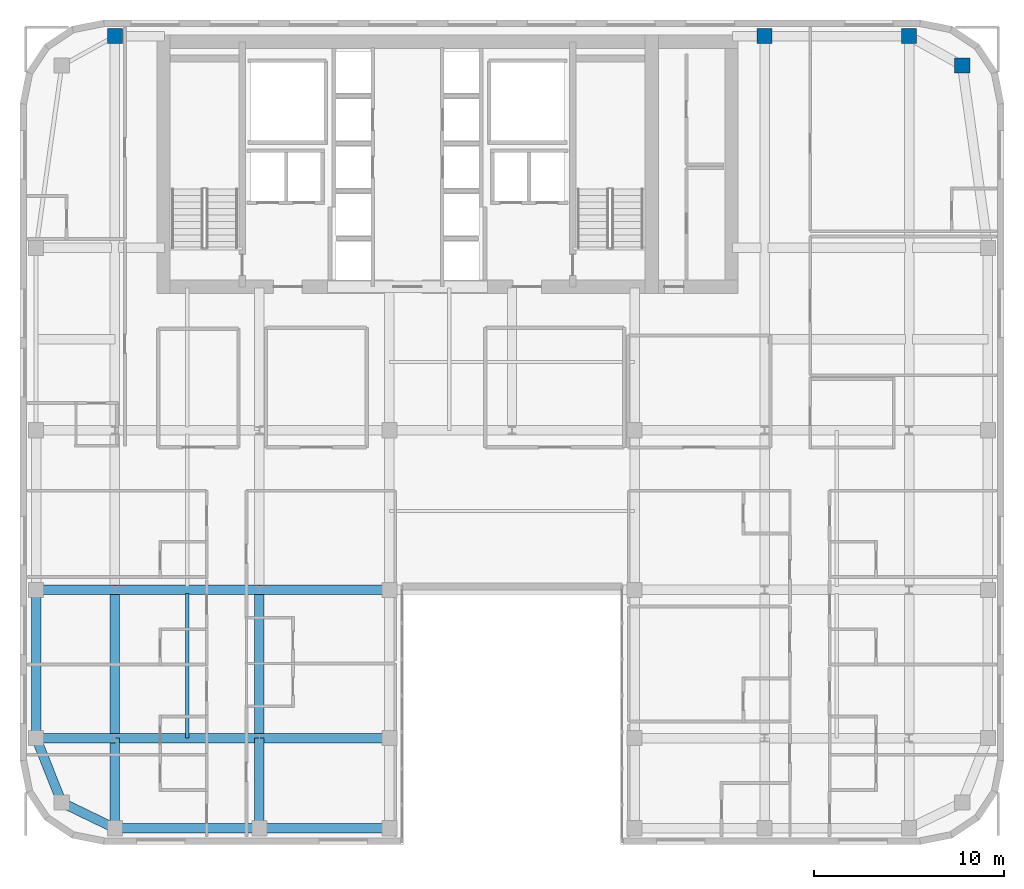
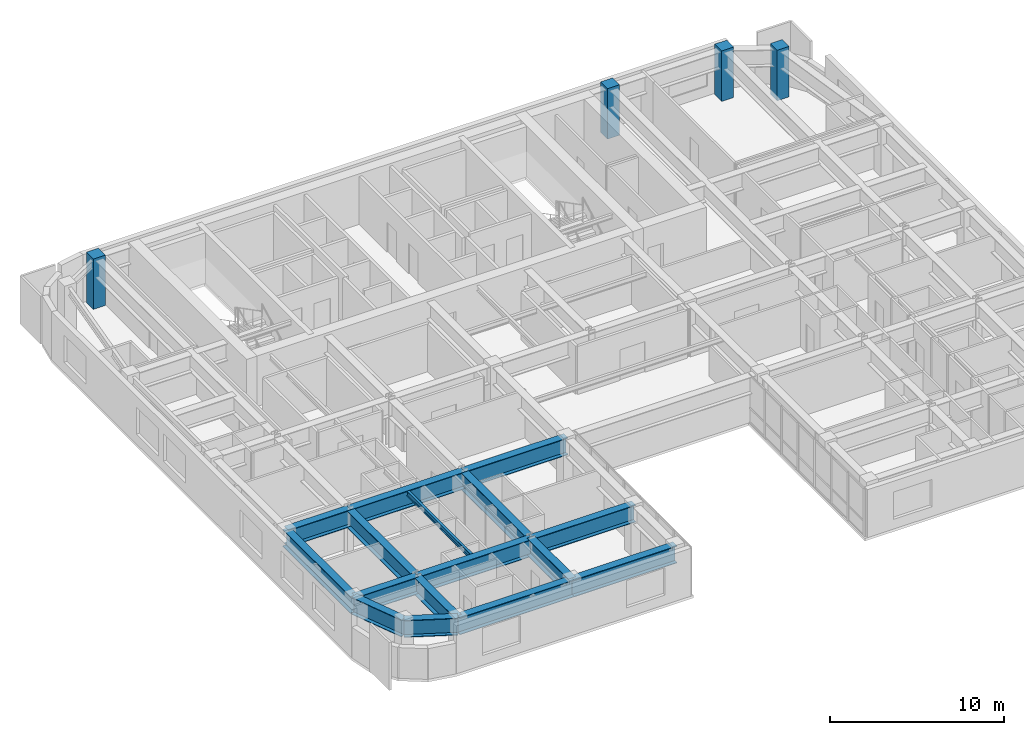
# One storey, part 2 of 14: 16 beams, 4 columns.
"""IFC4 building model written with IfcOpenShell, lengths in metres."""

import ifcopenshell
import ifcopenshell.guid

model = None  # the IFC model being written
_history = None  # IfcOwnerHistory: only IFC2X3 demands one
_inside = {}  # id of a spatial element -> (the spatial element, [elements in it])
_under = {}  # id of a project, library or spatial element -> (it, [spatial elements below it])
_declared = {}  # id of a project -> (the project, [libraries it declares])
_typed = {}  # id of a type object -> (the type object, [elements of that type])
_made_of = {}  # id of a material, layer set ... -> (it, [elements and type objects made of it])


def new_model(schema):
    """Start an empty IFC model of exactly this schema.

    Asked for "IFC4X3", IfcOpenShell would pick the latest addendum, in which some entities
    have other attributes; the version numbers below select the first issue.
    IFC2X3 requires an IfcOwnerHistory on every rooted entity: one is made here for all.
    """
    global model, _history
    if schema == "IFC4X3":
        model = ifcopenshell.file(schema_version=(4, 3, 0, 0))
    else:
        model = ifcopenshell.file(schema=schema)
    _inside.clear()
    _under.clear()
    _declared.clear()
    _typed.clear()
    _made_of.clear()
    _history = None
    if model.schema == "IFC2X3":
        org = make("IfcOrganization", Name="unknown")
        user = make(
            "IfcPersonAndOrganization",
            ThePerson=make("IfcPerson", FamilyName="unknown"),
            TheOrganization=org,
        )
        app = make(
            "IfcApplication",
            ApplicationDeveloper=org,
            Version="unknown",
            ApplicationFullName="unknown",
            ApplicationIdentifier="unknown",
        )
        _history = make(
            "IfcOwnerHistory",
            OwningUser=user,
            OwningApplication=app,
            ChangeAction="ADDED",
            CreationDate=0,
        )
    return model


def make(cls, **values):
    """One entity of the class cls with the attributes given. An attribute that is None is left unset."""
    return model.create_entity(
        cls, **{name: value for name, value in values.items() if value is not None}
    )


def rooted(cls, **values):
    """An entity with a GlobalId (a new one), such as an element, a storey or a relation."""
    return make(cls, GlobalId=ifcopenshell.guid.new(), OwnerHistory=_history, **values)


def si_unit(unit_type, name, prefix=None):
    """IfcSIUnit, for example si_unit("LENGTHUNIT", "METRE", prefix="MILLI")."""
    return make("IfcSIUnit", UnitType=unit_type, Prefix=prefix, Name=name)


def assignment(units):
    """IfcUnitAssignment: the units of a project."""
    return None if units is None else make("IfcUnitAssignment", Units=units)


def point(xyz):
    """IfcCartesianPoint."""
    return None if xyz is None else make("IfcCartesianPoint", Coordinates=xyz)


def direction(xyz):
    """IfcDirection."""
    return None if xyz is None else make("IfcDirection", DirectionRatios=xyz)


def frame(location, z_axis=None, x_axis=None):
    """IfcAxis2Placement3D, a coordinate frame: its origin and axes. An axis left out is left unset."""
    return make(
        "IfcAxis2Placement3D",
        Location=point(location),
        Axis=direction(z_axis),
        RefDirection=direction(x_axis),
    )


def frame_2d(location, x_axis=None):
    """IfcAxis2Placement2D, a coordinate frame in the plane: its origin and x axis."""
    return make(
        "IfcAxis2Placement2D", Location=point(location), RefDirection=direction(x_axis)
    )


def origin():
    """The frame at (0, 0, 0) with its axes left unset."""
    return frame((0.0, 0.0, 0.0))


def origin_2d():
    """The frame at (0, 0) in the plane with its x axis left unset."""
    return frame_2d((0.0, 0.0))


def place(relative_to, where):
    """IfcLocalPlacement: puts the frame where relative to a parent placement (None: the world)."""
    return make(
        "IfcLocalPlacement", PlacementRelTo=relative_to, RelativePlacement=where
    )


def context(
    kind, dimensions, precision=None, world=None, true_north=None, identifier=None
):
    """IfcGeometricRepresentationContext, for example the 3D "Model" context."""
    return make(
        "IfcGeometricRepresentationContext",
        ContextIdentifier=identifier,
        ContextType=kind,
        CoordinateSpaceDimension=dimensions,
        Precision=precision,
        WorldCoordinateSystem=world,
        TrueNorth=true_north,
    )


def subcontext(parent, identifier, kind, view, scale=None):
    """IfcGeometricRepresentationSubContext, for example "Body" below "Model"."""
    return make(
        "IfcGeometricRepresentationSubContext",
        ContextIdentifier=identifier,
        ContextType=kind,
        ParentContext=parent,
        TargetScale=scale,
        TargetView=view,
    )


def project(units=None, contexts=None):
    """IfcProject with its units and contexts."""
    return rooted(
        "IfcProject",
        Name="project",
        RepresentationContexts=contexts,
        UnitsInContext=assignment(units),
    )


def spatial(cls, under=None, at=None, **own):
    """A site, building, storey or space (cls), placed at a placement, below another one or the project."""
    s = rooted(cls, ObjectPlacement=at, **own)
    if under is not None:
        _under.setdefault(under.id(), (under, []))[1].append(s)
    return s


def profile(cls, at=None, kind="AREA", **sizes):
    """A parametric profile (cls). Its sizes go by their IFC names, for example OverallWidth=200.0."""
    return make(cls, ProfileType=kind, Position=at, **sizes)


def rectangle(**sizes):
    """IfcRectangleProfileDef."""
    return profile("IfcRectangleProfileDef", **sizes)


def i_section(**sizes):
    """IfcIShapeProfileDef."""
    return profile("IfcIShapeProfileDef", **sizes)


def extrude(swept, where, along, depth):
    """IfcExtrudedAreaSolid: the profile swept, set in the frame where, extruded along a direction by depth."""
    return make(
        "IfcExtrudedAreaSolid",
        SweptArea=swept,
        Position=where,
        ExtrudedDirection=direction(along),
        Depth=depth,
    )


def shape(context_of_items, identifier, shape_type, items):
    """IfcShapeRepresentation: the items that make up one representation, for example the "Body"."""
    return make(
        "IfcShapeRepresentation",
        ContextOfItems=context_of_items,
        RepresentationIdentifier=identifier,
        RepresentationType=shape_type,
        Items=items,
    )


def source(mapping_origin, context_of_items, identifier, shape_type, items):
    """IfcRepresentationMap: a shape defined once, which mapped items show again and again."""
    return make(
        "IfcRepresentationMap",
        MappingOrigin=mapping_origin,
        MappedRepresentation=shape(context_of_items, identifier, shape_type, items),
    )


def transform(
    local_origin,
    x_axis=None,
    y_axis=None,
    z_axis=None,
    scale=None,
    scale2=None,
    scale3=None,
    uniform=True,
):
    """IfcCartesianTransformationOperator3D, or its non-uniform kind. x_axis, y_axis, z_axis: its Axis1, 2, 3."""
    if uniform:
        return make(
            "IfcCartesianTransformationOperator3D",
            Axis1=direction(x_axis),
            Axis2=direction(y_axis),
            LocalOrigin=point(local_origin),
            Scale=scale,
            Axis3=direction(z_axis),
        )
    return make(
        "IfcCartesianTransformationOperator3DnonUniform",
        Axis1=direction(x_axis),
        Axis2=direction(y_axis),
        LocalOrigin=point(local_origin),
        Scale=scale,
        Axis3=direction(z_axis),
        Scale2=scale2,
        Scale3=scale3,
    )


def mapped(mapping_source, mapping_target):
    """IfcMappedItem: shows the shape of a source again, moved by a transform."""
    return make(
        "IfcMappedItem", MappingSource=mapping_source, MappingTarget=mapping_target
    )


def material(Name=None, Category=None):
    """IfcMaterial."""
    return make("IfcMaterial", Name=Name, Category=Category)


def material_profile(
    of_material, cross_section, Name=None, Category=None, Priority=None
):
    """IfcMaterialProfile: a cross section and its material."""
    return make(
        "IfcMaterialProfile",
        Name=Name,
        Material=of_material,
        Profile=cross_section,
        Priority=Priority,
        Category=Category,
    )


def profile_set(profiles, Name=None, composite=None):
    """IfcMaterialProfileSet."""
    return make(
        "IfcMaterialProfileSet",
        Name=Name,
        MaterialProfiles=profiles,
        CompositeProfile=composite,
    )


def made_of(thing, what):
    """Note that an element or type object is made of a material, layer set ...; save() writes the relation."""
    if what is not None:
        _made_of.setdefault(what.id(), (what, []))[1].append(thing)
    return thing


def type_object(cls, material=None, **own):
    """A type object (cls), such as IfcWallType, which elements share."""
    return made_of(rooted(cls, **own), material)


def type_shapes(of_type, sources):
    """Give a type object the sources (RepresentationMaps) that its elements show as mapped items."""
    of_type.RepresentationMaps = sources


def element(
    cls,
    number,
    at=None,
    inside=None,
    cuts=None,
    type_object=None,
    material=None,
    context=None,
    identifier="Body",
    shape_type=None,
    held_by="IfcProductDefinitionShape",
    body=None,
    shapes=None,
    **own,
):
    """One element of the class cls, such as IfcWall. Its Tag is "e" and its number.

    at: its placement. inside: the storey or other place that contains it. cuts: it is an
    opening in that element (IfcRelVoidsElement). A single representation is given by context,
    identifier, shape_type and body (its items); several are given by shapes. held_by: the class
    of the entity that holds the representations. save() writes the other relations.
    """
    e = rooted(cls, Tag="e%d" % number, ObjectPlacement=at, **own)
    if body is not None:
        shapes = [shape(context, identifier, shape_type, body)]
    if shapes is not None:
        e.Representation = make(held_by, Representations=shapes)
    if inside is not None:
        _inside.setdefault(inside.id(), (inside, []))[1].append(e)
    if cuts is not None:
        rooted(
            "IfcRelVoidsElement", RelatingBuildingElement=cuts, RelatedOpeningElement=e
        )
    if type_object is not None:
        _typed.setdefault(type_object.id(), (type_object, []))[1].append(e)
    return made_of(e, material)


def aggregate(whole, parts):
    """IfcRelAggregates: a whole, such as a stair, and the parts it consists of."""
    return rooted("IfcRelAggregates", RelatingObject=whole, RelatedObjects=parts)


def save(model, path):
    """Write the relations noted so far, then the file.

    IfcRelAggregates (storeys below a building ...), IfcRelContainedInSpatialStructure (elements
    in a storey), IfcRelDefinesByType, IfcRelAssociatesMaterial and IfcRelDeclares: one each for
    every whole, place, type object, material and project.
    """
    for whole, parts in _under.values():
        aggregate(whole, parts)
    for where, things in _inside.values():
        rooted(
            "IfcRelContainedInSpatialStructure",
            RelatedElements=things,
            RelatingStructure=where,
        )
    for kind, things in _typed.values():
        rooted("IfcRelDefinesByType", RelatedObjects=things, RelatingType=kind)
    for what, things in _made_of.values():
        rooted("IfcRelAssociatesMaterial", RelatedObjects=things, RelatingMaterial=what)
    for by, libraries in _declared.values():
        rooted("IfcRelDeclares", RelatingContext=by, RelatedDefinitions=libraries)
    model.write(path)


model = new_model("IFC4")

# Units and contexts
model_context = context("Model", 3, precision=1e-05, world=origin(), true_north=direction((0.0, 1.0)))
body_context = subcontext(model_context, "Body", "Model", "MODEL_VIEW")
ifc_project = project(units=[si_unit("LENGTHUNIT", "METRE"), si_unit("AREAUNIT", "SQUARE_METRE"), si_unit("VOLUMEUNIT", "CUBIC_METRE"), si_unit("PLANEANGLEUNIT", "RADIAN"), si_unit("MASSUNIT", "GRAM", prefix="KILO")], contexts=[model_context])

# Site, building, storey
site_placement = place(None, origin())
site = spatial("IfcSite", under=ifc_project, at=site_placement, CompositionType="ELEMENT")
building_placement = place(site_placement, origin())
building = spatial("IfcBuilding", under=site, at=building_placement, Name="Tolvann Quenvar Hotel", CompositionType="ELEMENT")
storey_placement = place(building_placement, frame((0.0, 0.0, 150.60009765625)))
storey = spatial("IfcBuildingStorey", under=building, at=storey_placement, Name="L39", CompositionType="ELEMENT", Elevation=150.60009765625)

# Columns
ifc_material_1 = material(Name="Concrete N50 (50 MPa)", Category="concrete")
ifc_material_profile_1 = material_profile(ifc_material_1, rectangle(XDim=0.800048828125, YDim=0.800048828125, at=origin_2d()), Name="RC800x800")
ifc_profile_set_1 = profile_set([ifc_material_profile_1], Name="Concrete N50 (50 MPa)")
column_type = type_object("IfcColumnType", Name="COL_RC800", PredefinedType="COLUMN", material=ifc_profile_set_1)
shared_shape_1 = source(origin(), body_context, "Body", "SweptSolid", [
    extrude(rectangle(XDim=0.800048828125, YDim=0.800048828125, at=origin_2d()), origin(), (0.0, 0.0, 1.0), 3.5498046875),
])
type_shapes(column_type, [shared_shape_1])
for number, where, z_axis, x_axis, name in (
    (1, (7.60009765625, 45.14990234375, 0.0), (0.0, 0.0, 1.0), (1.0, 0.0, 0.0), "Column CN (L39)"),
    (2, (41.800048828125, 45.14990234375, 0.0), (0.0, 0.0, 1.0), (1.0, 0.0, 0.0), "Column HN (L39)"),
    (3, (49.39990234375, 45.14990234375, 0.0), (0.0, 0.0, 1.0), (1.0, 0.0, 0.0), "Column IN (L39)"),
    (4, (52.199951171875, 43.60009765625, 0.0), (0.0, 0.0, 1.0), (1.0, 0.0, 0.0), "Column JN (L39)"),
):
    element("IfcColumn", number, at=place(storey_placement, frame(where, z_axis=z_axis, x_axis=x_axis)), inside=storey, type_object=column_type, Name=name, PredefinedType="COLUMN", context=body_context, shape_type="MappedRepresentation", body=[
        mapped(shared_shape_1, transform((0.0, 0.0, 0.0), x_axis=(1.0, 0.0, 0.0), y_axis=(0.0, 1.0, 0.0), z_axis=(0.0, 0.0, 1.0), scale=1.0)),
    ])

# Beams
ifc_material_2 = material(Name="Steel Grade 350", Category="steel")
ifc_material_profile_2 = material_profile(ifc_material_2, i_section(OverallWidth=0.5, OverallDepth=1.199951171875, WebThickness=0.01611328125, FlangeThickness=0.0400390625, at=origin_2d()), Name="1200WB455")
ifc_profile_set_2 = profile_set([ifc_material_profile_2], Name="Steel Grade 350")
beam_type_1 = type_object("IfcBeamType", Name="BM_TG_1200WB455", PredefinedType="USERDEFINED", material=ifc_profile_set_2)
shared_shape_2 = source(origin(), body_context, "Body", "SweptSolid", [
    extrude(i_section(OverallWidth=0.5, OverallDepth=1.199951171875, WebThickness=0.01611328125, FlangeThickness=0.0400390625, at=origin_2d()), origin(), (0.0, 0.0, 1.0), 7.599853515625),
])
for number, where, z_axis, x_axis, name in (
    (5, (7.60009765625, 3.449951171875, 2.77001953125), (1.0, 0.0, 0.0), (0.0, 1.0, 0.0), "BM-L39-EW-2-C2-D2"),
    (6, (7.60009765625, 8.199951171875, 2.77001953125), (1.0, 0.0, 0.0), (0.0, 1.0, 0.0), "BM-L39-EW-3-C3-D3"),
    (7, (7.60009765625, 16.0, 2.77001953125), (1.0, 0.0, 0.0), (0.0, 1.0, 0.0), "BM-L39-EW-4-C4-D4"),
):
    element("IfcBeam", number, at=place(storey_placement, frame(where, z_axis=z_axis, x_axis=x_axis)), inside=storey, type_object=beam_type_1, Name=name, ObjectType="TRANSFER GIRDER", PredefinedType="USERDEFINED", context=body_context, shape_type="MappedRepresentation", body=[
        mapped(shared_shape_2, transform((0.0, 0.0, 0.0), x_axis=(1.0, 0.0, 0.0), y_axis=(0.0, 1.0, 0.0), z_axis=(0.0, 0.0, 1.0), scale=1.0)),
    ])
shared_shape_3 = source(origin(), body_context, "Body", "SweptSolid", [
    extrude(i_section(OverallWidth=0.5, OverallDepth=1.199951171875, WebThickness=0.01611328125, FlangeThickness=0.0400390625, at=origin_2d()), origin(), (0.0, 0.0, 1.0), 4.150146484375),
])
for number, where, z_axis, x_axis, name in (
    (8, (3.449951171875, 8.199951171875, 2.77001953125), (1.0, 0.0, 0.0), (0.0, 1.0, 0.0), "BM-L39-EW-3-B3-C3"),
    (9, (3.449951171875, 16.0, 2.77001953125), (1.0, 0.0, 0.0), (0.0, 1.0, 0.0), "BM-L39-EW-4-B4-C4"),
):
    element("IfcBeam", number, at=place(storey_placement, frame(where, z_axis=z_axis, x_axis=x_axis)), inside=storey, type_object=beam_type_1, Name=name, ObjectType="TRANSFER GIRDER", PredefinedType="USERDEFINED", context=body_context, shape_type="MappedRepresentation", body=[
        mapped(shared_shape_3, transform((0.0, 0.0, 0.0), x_axis=(1.0, 0.0, 0.0), y_axis=(0.0, 1.0, 0.0), z_axis=(0.0, 0.0, 1.0), scale=1.0)),
    ])
shared_shape_4 = source(origin(), body_context, "Body", "SweptSolid", [
    extrude(i_section(OverallWidth=0.5, OverallDepth=1.199951171875, WebThickness=0.01611328125, FlangeThickness=0.0400390625, at=origin_2d()), origin(), (0.0, 0.0, 1.0), 7.800048828125),
])
for number, where, z_axis, x_axis, name in (
    (10, (3.449951171875, 8.199951171875, 2.77001953125), (0.0, 1.0, 0.0), (-1.0, 0.0, 0.0), "BM-L39-NS-B3-B4"),
    (11, (7.60009765625, 8.199951171875, 2.77001953125), (0.0, 1.0, 0.0), (-1.0, 0.0, 0.0), "BM-L39-NS-C3-C4"),
    (12, (15.199951171875, 8.199951171875, 2.77001953125), (0.0, 1.0, 0.0), (-1.0, 0.0, 0.0), "BM-L39-NS-D3-D4"),
):
    element("IfcBeam", number, at=place(storey_placement, frame(where, z_axis=z_axis, x_axis=x_axis)), inside=storey, type_object=beam_type_1, Name=name, ObjectType="TRANSFER GIRDER", PredefinedType="USERDEFINED", context=body_context, shape_type="MappedRepresentation", body=[
        mapped(shared_shape_4, transform((0.0, 0.0, 0.0), x_axis=(1.0, 0.0, 0.0), y_axis=(0.0, 1.0, 0.0), z_axis=(0.0, 0.0, 1.0), scale=1.0)),
    ])
shared_shape_5 = source(origin(), body_context, "Body", "SweptSolid", [
    extrude(i_section(OverallWidth=0.5, OverallDepth=1.199951171875, WebThickness=0.01611328125, FlangeThickness=0.0400390625, at=origin_2d()), origin(), (0.0, 0.0, 1.0), 6.85009765625),
])
for number, where, z_axis, x_axis, name in (
    (13, (15.199951171875, 3.449951171875, 2.77001953125), (1.0, 0.0, 0.0), (0.0, 1.0, 0.0), "BM-L39-EW-2-D2-E2"),
    (14, (15.199951171875, 8.199951171875, 2.77001953125), (1.0, 0.0, 0.0), (0.0, 1.0, 0.0), "BM-L39-EW-3-D3-E3"),
    (15, (15.199951171875, 16.0, 2.77001953125), (1.0, 0.0, 0.0), (0.0, 1.0, 0.0), "BM-L39-EW-4-D4-E4"),
):
    element("IfcBeam", number, at=place(storey_placement, frame(where, z_axis=z_axis, x_axis=x_axis)), inside=storey, type_object=beam_type_1, Name=name, ObjectType="TRANSFER GIRDER", PredefinedType="USERDEFINED", context=body_context, shape_type="MappedRepresentation", body=[
        mapped(shared_shape_5, transform((0.0, 0.0, 0.0), x_axis=(1.0, 0.0, 0.0), y_axis=(0.0, 1.0, 0.0), z_axis=(0.0, 0.0, 1.0), scale=1.0)),
    ])
shared_shape_6 = source(origin(), body_context, "Body", "SweptSolid", [
    extrude(i_section(OverallWidth=0.5, OverallDepth=1.199951171875, WebThickness=0.01611328125, FlangeThickness=0.0400390625, at=origin_2d()), origin(), (0.0, 0.0, 1.0), 3.108642578125),
])
beam_1_placement = place(storey_placement, frame((4.800048828125, 4.800048828125, 2.77001953125), z_axis=(0.900759354066, -0.434318530646, 0.0), x_axis=(0.434318530646, 0.900759354066, 0.0)))
element("IfcBeam", 16, at=beam_1_placement, inside=storey, type_object=beam_type_1, Name="BM-L39-EW-2-B2-C2", ObjectType="TRANSFER GIRDER", PredefinedType="USERDEFINED", context=body_context, shape_type="MappedRepresentation", body=[
    mapped(shared_shape_6, transform((0.0, 0.0, 0.0), x_axis=(1.0, 0.0, 0.0), y_axis=(0.0, 1.0, 0.0), z_axis=(0.0, 0.0, 1.0), scale=1.0)),
])
shared_shape_7 = source(origin(), body_context, "Body", "SweptSolid", [
    extrude(i_section(OverallWidth=0.5, OverallDepth=1.199951171875, WebThickness=0.01611328125, FlangeThickness=0.0400390625, at=origin_2d()), origin(), (0.0, 0.0, 1.0), 3.658203125),
])
beam_2_placement = place(storey_placement, frame((4.800048828125, 4.800048828125, 2.77001953125), z_axis=(-0.369065163807, 0.929403521009, 0.0), x_axis=(-0.929403521009, -0.369065163807, 0.0)))
element("IfcBeam", 17, at=beam_2_placement, inside=storey, type_object=beam_type_1, Name="BM-L39-NS-B2-B3", ObjectType="TRANSFER GIRDER", PredefinedType="USERDEFINED", context=body_context, shape_type="MappedRepresentation", body=[
    mapped(shared_shape_7, transform((0.0, 0.0, 0.0), x_axis=(1.0, 0.0, 0.0), y_axis=(0.0, 1.0, 0.0), z_axis=(0.0, 0.0, 1.0), scale=1.0)),
])
shared_shape_8 = source(origin(), body_context, "Body", "SweptSolid", [
    extrude(i_section(OverallWidth=0.5, OverallDepth=1.199951171875, WebThickness=0.01611328125, FlangeThickness=0.0400390625, at=origin_2d()), origin(), (0.0, 0.0, 1.0), 4.75),
])
type_shapes(beam_type_1, [shared_shape_2, shared_shape_3, shared_shape_4, shared_shape_5, shared_shape_6, shared_shape_7, shared_shape_8])
for number, where, z_axis, x_axis, name in (
    (18, (7.60009765625, 3.449951171875, 2.77001953125), (0.0, 1.0, 0.0), (-1.0, 0.0, 0.0), "BM-L39-NS-C2-C3"),
    (19, (15.199951171875, 3.449951171875, 2.77001953125), (0.0, 1.0, 0.0), (-1.0, 0.0, 0.0), "BM-L39-NS-D2-D3"),
):
    element("IfcBeam", number, at=place(storey_placement, frame(where, z_axis=z_axis, x_axis=x_axis)), inside=storey, type_object=beam_type_1, Name=name, ObjectType="TRANSFER GIRDER", PredefinedType="USERDEFINED", context=body_context, shape_type="MappedRepresentation", body=[
        mapped(shared_shape_8, transform((0.0, 0.0, 0.0), x_axis=(1.0, 0.0, 0.0), y_axis=(0.0, 1.0, 0.0), z_axis=(0.0, 0.0, 1.0), scale=1.0)),
    ])
ifc_material_profile_3 = material_profile(ifc_material_2, i_section(OverallWidth=0.172119140625, OverallDepth=0.35888671875, WebThickness=0.008056640625, FlangeThickness=0.012939453125, FilletRadius=0.011474609375, at=origin_2d()), Name="360UB57")
ifc_profile_set_3 = profile_set([ifc_material_profile_3], Name="Steel Grade 350")
beam_type_2 = type_object("IfcBeamType", Name="BM_JOIST_360UB57", PredefinedType="JOIST", material=ifc_profile_set_3)
shared_shape_9 = source(origin(), body_context, "Body", "SweptSolid", [
    extrude(i_section(OverallWidth=0.172119140625, OverallDepth=0.35888671875, WebThickness=0.008056640625, FlangeThickness=0.012939453125, FilletRadius=0.011474609375, at=origin_2d()), origin(), (0.0, 0.0, 1.0), 7.614990234375),
])
type_shapes(beam_type_2, [shared_shape_9])
beam_3_placement = place(storey_placement, frame((11.39990234375, 8.199951171875, 3.1904296875), z_axis=(0.0, 1.0, 0.0), x_axis=(-1.0, 0.0, 0.0)))
element("IfcBeam", 20, at=beam_3_placement, inside=storey, type_object=beam_type_2, Name="BJ-L39-114-82", PredefinedType="JOIST", context=body_context, shape_type="MappedRepresentation", body=[
    mapped(shared_shape_9, transform((0.0, 0.0, 0.0), x_axis=(1.0, 0.0, 0.0), y_axis=(0.0, 1.0, 0.0), z_axis=(0.0, 0.0, 1.0), scale=1.0)),
])

save(model, "model.ifc")
